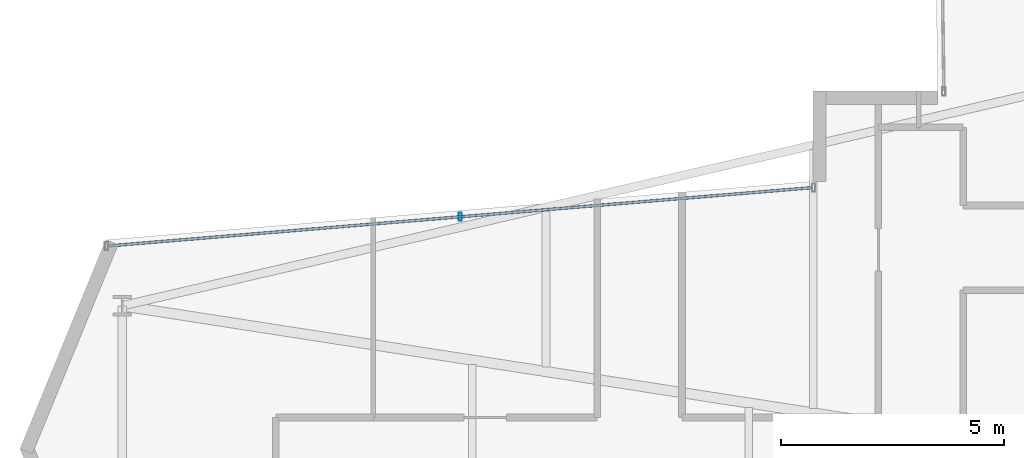
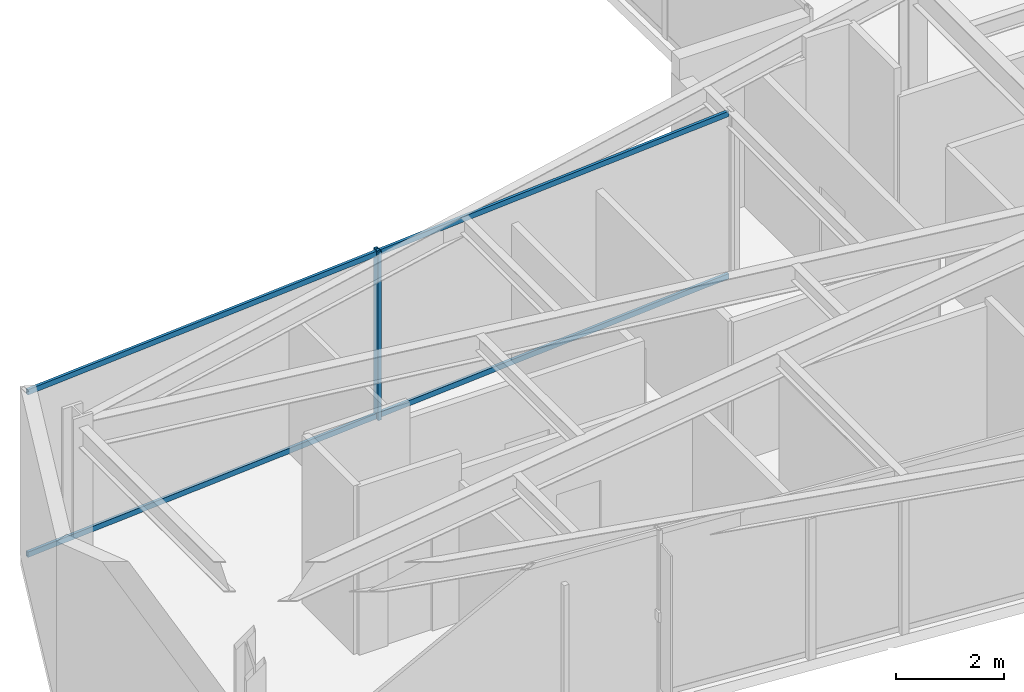
# One storey, part 8 of 25: 3 members, 1 element without a shape of its own.
"""IFC4 building model written with IfcOpenShell, lengths in metres."""

import ifcopenshell
import ifcopenshell.guid

model = None  # the IFC model being written
_history = None  # IfcOwnerHistory: only IFC2X3 demands one
_inside = {}  # id of a spatial element -> (the spatial element, [elements in it])
_under = {}  # id of a project, library or spatial element -> (it, [spatial elements below it])
_declared = {}  # id of a project -> (the project, [libraries it declares])
_typed = {}  # id of a type object -> (the type object, [elements of that type])
_made_of = {}  # id of a material, layer set ... -> (it, [elements and type objects made of it])


def new_model(schema):
    """Start an empty IFC model of exactly this schema.

    Asked for "IFC4X3", IfcOpenShell would pick the latest addendum, in which some entities
    have other attributes; the version numbers below select the first issue.
    IFC2X3 requires an IfcOwnerHistory on every rooted entity: one is made here for all.
    """
    global model, _history
    if schema == "IFC4X3":
        model = ifcopenshell.file(schema_version=(4, 3, 0, 0))
    else:
        model = ifcopenshell.file(schema=schema)
    _inside.clear()
    _under.clear()
    _declared.clear()
    _typed.clear()
    _made_of.clear()
    _history = None
    if model.schema == "IFC2X3":
        org = make("IfcOrganization", Name="unknown")
        user = make(
            "IfcPersonAndOrganization",
            ThePerson=make("IfcPerson", FamilyName="unknown"),
            TheOrganization=org,
        )
        app = make(
            "IfcApplication",
            ApplicationDeveloper=org,
            Version="unknown",
            ApplicationFullName="unknown",
            ApplicationIdentifier="unknown",
        )
        _history = make(
            "IfcOwnerHistory",
            OwningUser=user,
            OwningApplication=app,
            ChangeAction="ADDED",
            CreationDate=0,
        )
    return model


def make(cls, **values):
    """One entity of the class cls with the attributes given. An attribute that is None is left unset."""
    return model.create_entity(
        cls, **{name: value for name, value in values.items() if value is not None}
    )


def rooted(cls, **values):
    """An entity with a GlobalId (a new one), such as an element, a storey or a relation."""
    return make(cls, GlobalId=ifcopenshell.guid.new(), OwnerHistory=_history, **values)


def si_unit(unit_type, name, prefix=None):
    """IfcSIUnit, for example si_unit("LENGTHUNIT", "METRE", prefix="MILLI")."""
    return make("IfcSIUnit", UnitType=unit_type, Prefix=prefix, Name=name)


def assignment(units):
    """IfcUnitAssignment: the units of a project."""
    return None if units is None else make("IfcUnitAssignment", Units=units)


def point(xyz):
    """IfcCartesianPoint."""
    return None if xyz is None else make("IfcCartesianPoint", Coordinates=xyz)


def direction(xyz):
    """IfcDirection."""
    return None if xyz is None else make("IfcDirection", DirectionRatios=xyz)


def frame(location, z_axis=None, x_axis=None):
    """IfcAxis2Placement3D, a coordinate frame: its origin and axes. An axis left out is left unset."""
    return make(
        "IfcAxis2Placement3D",
        Location=point(location),
        Axis=direction(z_axis),
        RefDirection=direction(x_axis),
    )


def frame_2d(location, x_axis=None):
    """IfcAxis2Placement2D, a coordinate frame in the plane: its origin and x axis."""
    return make(
        "IfcAxis2Placement2D", Location=point(location), RefDirection=direction(x_axis)
    )


def origin():
    """The frame at (0, 0, 0) with its axes left unset."""
    return frame((0.0, 0.0, 0.0))


def origin_2d():
    """The frame at (0, 0) in the plane with its x axis left unset."""
    return frame_2d((0.0, 0.0))


def place(relative_to, where):
    """IfcLocalPlacement: puts the frame where relative to a parent placement (None: the world)."""
    return make(
        "IfcLocalPlacement", PlacementRelTo=relative_to, RelativePlacement=where
    )


def context(
    kind, dimensions, precision=None, world=None, true_north=None, identifier=None
):
    """IfcGeometricRepresentationContext, for example the 3D "Model" context."""
    return make(
        "IfcGeometricRepresentationContext",
        ContextIdentifier=identifier,
        ContextType=kind,
        CoordinateSpaceDimension=dimensions,
        Precision=precision,
        WorldCoordinateSystem=world,
        TrueNorth=true_north,
    )


def subcontext(parent, identifier, kind, view, scale=None):
    """IfcGeometricRepresentationSubContext, for example "Body" below "Model"."""
    return make(
        "IfcGeometricRepresentationSubContext",
        ContextIdentifier=identifier,
        ContextType=kind,
        ParentContext=parent,
        TargetScale=scale,
        TargetView=view,
    )


def project(units=None, contexts=None):
    """IfcProject with its units and contexts."""
    return rooted(
        "IfcProject",
        Name="project",
        RepresentationContexts=contexts,
        UnitsInContext=assignment(units),
    )


def spatial(cls, under=None, at=None, **own):
    """A site, building, storey or space (cls), placed at a placement, below another one or the project."""
    s = rooted(cls, ObjectPlacement=at, **own)
    if under is not None:
        _under.setdefault(under.id(), (under, []))[1].append(s)
    return s


def profile(cls, at=None, kind="AREA", **sizes):
    """A parametric profile (cls). Its sizes go by their IFC names, for example OverallWidth=200.0."""
    return make(cls, ProfileType=kind, Position=at, **sizes)


def hollow_rectangle(**sizes):
    """IfcRectangleHollowProfileDef."""
    return profile("IfcRectangleHollowProfileDef", **sizes)


def extrude(swept, where, along, depth):
    """IfcExtrudedAreaSolid: the profile swept, set in the frame where, extruded along a direction by depth."""
    return make(
        "IfcExtrudedAreaSolid",
        SweptArea=swept,
        Position=where,
        ExtrudedDirection=direction(along),
        Depth=depth,
    )


def shape(context_of_items, identifier, shape_type, items):
    """IfcShapeRepresentation: the items that make up one representation, for example the "Body"."""
    return make(
        "IfcShapeRepresentation",
        ContextOfItems=context_of_items,
        RepresentationIdentifier=identifier,
        RepresentationType=shape_type,
        Items=items,
    )


def material(Name=None, Category=None):
    """IfcMaterial."""
    return make("IfcMaterial", Name=Name, Category=Category)


def layer(
    of_material, thickness, ventilated=None, Name=None, Category=None, Priority=None
):
    """IfcMaterialLayer: one layer of a wall or slab, of a material (None: an air gap)."""
    return make(
        "IfcMaterialLayer",
        Material=of_material,
        LayerThickness=thickness,
        IsVentilated=ventilated,
        Name=Name,
        Category=Category,
        Priority=Priority,
    )


def layer_set(layers, Name=None):
    """IfcMaterialLayerSet."""
    return make("IfcMaterialLayerSet", MaterialLayers=layers, LayerSetName=Name)


def material_profile(
    of_material, cross_section, Name=None, Category=None, Priority=None
):
    """IfcMaterialProfile: a cross section and its material."""
    return make(
        "IfcMaterialProfile",
        Name=Name,
        Material=of_material,
        Profile=cross_section,
        Priority=Priority,
        Category=Category,
    )


def profile_set(profiles, Name=None, composite=None):
    """IfcMaterialProfileSet."""
    return make(
        "IfcMaterialProfileSet",
        Name=Name,
        MaterialProfiles=profiles,
        CompositeProfile=composite,
    )


def made_of(thing, what):
    """Note that an element or type object is made of a material, layer set ...; save() writes the relation."""
    if what is not None:
        _made_of.setdefault(what.id(), (what, []))[1].append(thing)
    return thing


def type_object(cls, material=None, **own):
    """A type object (cls), such as IfcWallType, which elements share."""
    return made_of(rooted(cls, **own), material)


def element(
    cls,
    number,
    at=None,
    inside=None,
    cuts=None,
    type_object=None,
    material=None,
    context=None,
    identifier="Body",
    shape_type=None,
    held_by="IfcProductDefinitionShape",
    body=None,
    shapes=None,
    **own,
):
    """One element of the class cls, such as IfcWall. Its Tag is "e" and its number.

    at: its placement. inside: the storey or other place that contains it. cuts: it is an
    opening in that element (IfcRelVoidsElement). A single representation is given by context,
    identifier, shape_type and body (its items); several are given by shapes. held_by: the class
    of the entity that holds the representations. save() writes the other relations.
    """
    e = rooted(cls, Tag="e%d" % number, ObjectPlacement=at, **own)
    if body is not None:
        shapes = [shape(context, identifier, shape_type, body)]
    if shapes is not None:
        e.Representation = make(held_by, Representations=shapes)
    if inside is not None:
        _inside.setdefault(inside.id(), (inside, []))[1].append(e)
    if cuts is not None:
        rooted(
            "IfcRelVoidsElement", RelatingBuildingElement=cuts, RelatedOpeningElement=e
        )
    if type_object is not None:
        _typed.setdefault(type_object.id(), (type_object, []))[1].append(e)
    return made_of(e, material)


def aggregate(whole, parts):
    """IfcRelAggregates: a whole, such as a stair, and the parts it consists of."""
    return rooted("IfcRelAggregates", RelatingObject=whole, RelatedObjects=parts)


def save(model, path):
    """Write the relations noted so far, then the file.

    IfcRelAggregates (storeys below a building ...), IfcRelContainedInSpatialStructure (elements
    in a storey), IfcRelDefinesByType, IfcRelAssociatesMaterial and IfcRelDeclares: one each for
    every whole, place, type object, material and project.
    """
    for whole, parts in _under.values():
        aggregate(whole, parts)
    for where, things in _inside.values():
        rooted(
            "IfcRelContainedInSpatialStructure",
            RelatedElements=things,
            RelatingStructure=where,
        )
    for kind, things in _typed.values():
        rooted("IfcRelDefinesByType", RelatedObjects=things, RelatingType=kind)
    for what, things in _made_of.values():
        rooted("IfcRelAssociatesMaterial", RelatedObjects=things, RelatingMaterial=what)
    for by, libraries in _declared.values():
        rooted("IfcRelDeclares", RelatingContext=by, RelatedDefinitions=libraries)
    model.write(path)


model = new_model("IFC4")

# Units and contexts
model_context = context("Model", 3, precision=1e-05, world=origin(), true_north=direction((0.0, 1.0)))
body_context = subcontext(model_context, "Body", "Model", "MODEL_VIEW")
ifc_project = project(units=[si_unit("LENGTHUNIT", "METRE"), si_unit("AREAUNIT", "SQUARE_METRE"), si_unit("VOLUMEUNIT", "CUBIC_METRE"), si_unit("PLANEANGLEUNIT", "RADIAN"), si_unit("MASSUNIT", "GRAM", prefix="KILO")], contexts=[model_context])

# Site, building, storey
site_placement = place(None, origin())
site = spatial("IfcSite", under=ifc_project, at=site_placement, CompositionType="ELEMENT")
building_placement = place(site_placement, origin())
building = spatial("IfcBuilding", under=site, at=building_placement, Name="Veymaron Broadcast Tower", CompositionType="ELEMENT")
storey_placement = place(building_placement, frame((0.0, 0.0, 120.89990234375)))
storey = spatial("IfcBuildingStorey", under=building, at=storey_placement, Name="L27", CompositionType="ELEMENT", Elevation=120.89990234375)

# Curtain wall, members
ifc_material_1 = material(Name="Anodised aluminium AA 6063-T6 and laminated low-E dark glass", Category="aluminium")
ifc_layer = layer(ifc_material_1, 0.179931640625)
ifc_layer_set = layer_set([ifc_layer], Name="Anodised aluminium AA 6063-T6 and laminated low-E dark glass")
curtain_wall_type = type_object("IfcCurtainWallType", Name="CW-SYS-03", PredefinedType="NOTDEFINED", material=ifc_layer_set)
curtain_wall_placement = place(storey_placement, origin())
curtain_wall = element("IfcCurtainWall", 1, at=curtain_wall_placement, inside=storey, type_object=curtain_wall_type, Name="L27 dark-glass curtain wall CW-L27-E11-1", PredefinedType="NOTDEFINED")
ifc_material_2 = material(Name="Anodised aluminium AA 6063-T6", Category="aluminium")
ifc_material_profile_1 = material_profile(ifc_material_2, hollow_rectangle(XDim=0.074951171875, YDim=0.179931640625, WallThickness=0.0048828125, at=origin_2d()), Name="AL180X75X5")
ifc_profile_set_1 = profile_set([ifc_material_profile_1], Name="Anodised aluminium AA 6063-T6")
member_type_1 = type_object("IfcMemberType", Name="CW-MUL-02", PredefinedType="MULLION", material=ifc_profile_set_1)
member_1_placement = place(storey_placement, frame((18.131591796875, 29.195068359375, 0.0), z_axis=(0.0, 0.0, 1.0), x_axis=(1.0, 0.0, 0.0)))
member_1 = element("IfcMember", 2, at=member_1_placement, type_object=member_type_1, Name="CW-L27-E11-1 mullion 1", PredefinedType="MULLION", context=body_context, shape_type="SweptSolid", body=[
    extrude(hollow_rectangle(XDim=0.074951171875, YDim=0.179931640625, WallThickness=0.0048828125, at=origin_2d()), origin(), (0.0, 0.0, 1.0), 3.81005859375),
])
ifc_material_profile_2 = material_profile(ifc_material_2, hollow_rectangle(XDim=0.06005859375, YDim=0.1201171875, WallThickness=0.00390625, at=origin_2d()), Name="AL120X60X4")
ifc_profile_set_2 = profile_set([ifc_material_profile_2], Name="Anodised aluminium AA 6063-T6")
member_type_2 = type_object("IfcMemberType", Name="CW-TRN-02", PredefinedType="USERDEFINED", material=ifc_profile_set_2)
member_2_placement = place(storey_placement, frame((26.001708984375, 29.8466796875, 0.070068359375), z_axis=(-0.996588692575, -0.082528648555, 0.0), x_axis=(0.082528648555, -0.996588692575, 0.0)))
member_2 = element("IfcMember", 3, at=member_2_placement, type_object=member_type_2, Name="CW-L27-E11-1 transom B", ObjectType="TRANSOM", PredefinedType="USERDEFINED", context=body_context, shape_type="SweptSolid", body=[
    extrude(hollow_rectangle(XDim=0.06005859375, YDim=0.1201171875, WallThickness=0.00390625, at=origin_2d()), origin(), (0.0, 0.0, 1.0), 15.794189453125),
])
member_3_placement = place(storey_placement, frame((26.001708984375, 29.8466796875, 3.739990234375), z_axis=(-0.996588692575, -0.082528648555, 0.0), x_axis=(0.082528648555, -0.996588692575, 0.0)))
member_3 = element("IfcMember", 4, at=member_3_placement, type_object=member_type_2, Name="CW-L27-E11-1 transom T", ObjectType="TRANSOM", PredefinedType="USERDEFINED", context=body_context, shape_type="SweptSolid", body=[
    extrude(hollow_rectangle(XDim=0.06005859375, YDim=0.1201171875, WallThickness=0.00390625, at=origin_2d()), origin(), (0.0, 0.0, 1.0), 15.794189453125),
])
aggregate(curtain_wall, [member_1, member_2, member_3])

save(model, "model.ifc")
